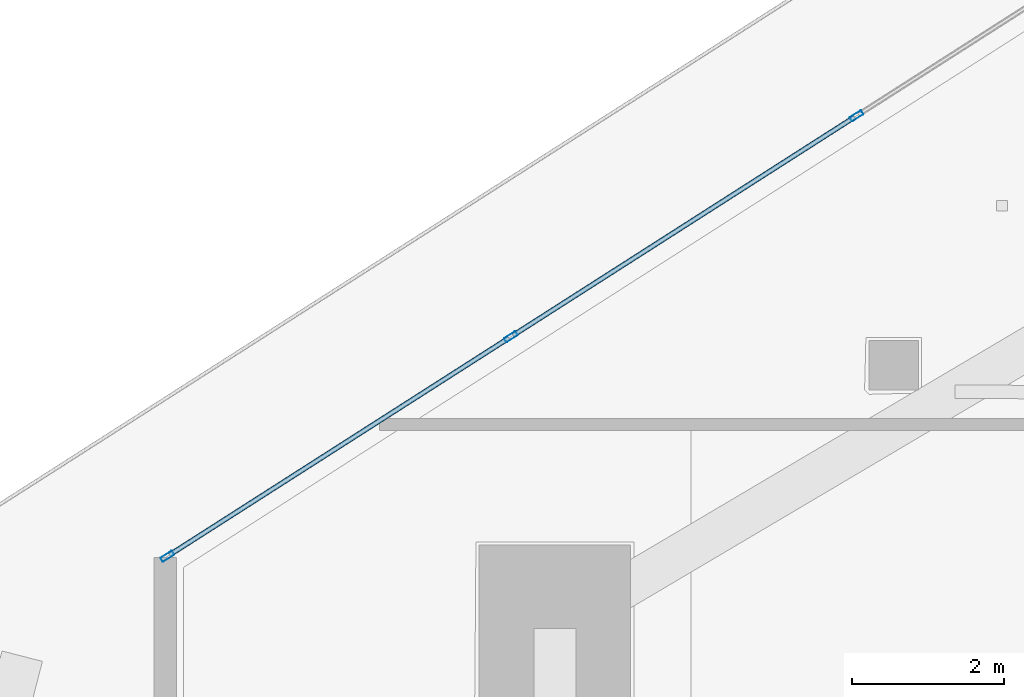
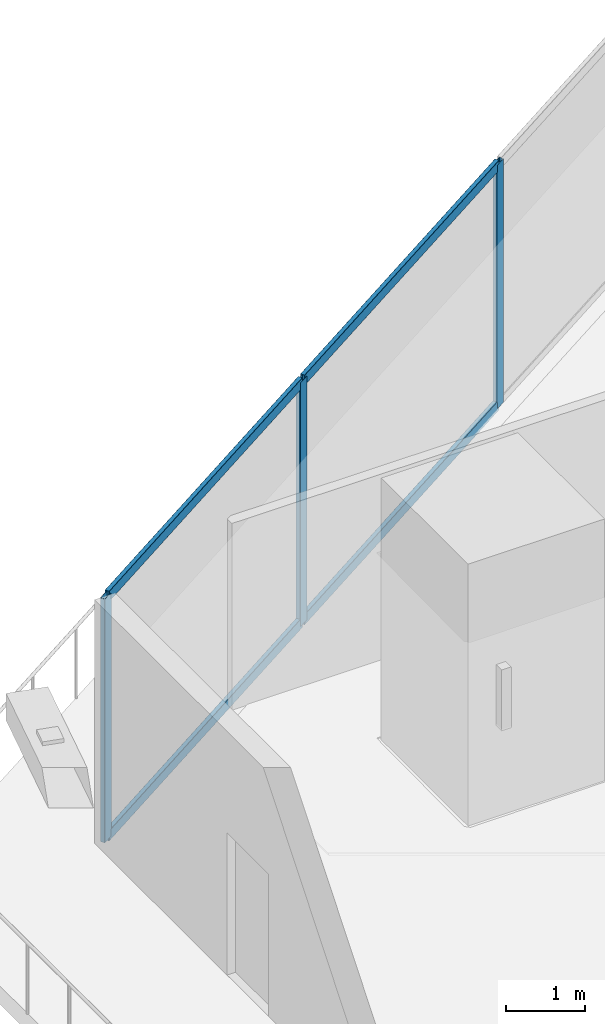
# One storey, part 14 of 45: 7 members, 1 element without a shape of its own.
"""IFC4 building model written with IfcOpenShell, lengths in metres."""

import ifcopenshell
import ifcopenshell.guid

model = None  # the IFC model being written
_history = None  # IfcOwnerHistory: only IFC2X3 demands one
_inside = {}  # id of a spatial element -> (the spatial element, [elements in it])
_under = {}  # id of a project, library or spatial element -> (it, [spatial elements below it])
_declared = {}  # id of a project -> (the project, [libraries it declares])
_typed = {}  # id of a type object -> (the type object, [elements of that type])
_made_of = {}  # id of a material, layer set ... -> (it, [elements and type objects made of it])


def new_model(schema):
    """Start an empty IFC model of exactly this schema.

    Asked for "IFC4X3", IfcOpenShell would pick the latest addendum, in which some entities
    have other attributes; the version numbers below select the first issue.
    IFC2X3 requires an IfcOwnerHistory on every rooted entity: one is made here for all.
    """
    global model, _history
    if schema == "IFC4X3":
        model = ifcopenshell.file(schema_version=(4, 3, 0, 0))
    else:
        model = ifcopenshell.file(schema=schema)
    _inside.clear()
    _under.clear()
    _declared.clear()
    _typed.clear()
    _made_of.clear()
    _history = None
    if model.schema == "IFC2X3":
        org = make("IfcOrganization", Name="unknown")
        user = make(
            "IfcPersonAndOrganization",
            ThePerson=make("IfcPerson", FamilyName="unknown"),
            TheOrganization=org,
        )
        app = make(
            "IfcApplication",
            ApplicationDeveloper=org,
            Version="unknown",
            ApplicationFullName="unknown",
            ApplicationIdentifier="unknown",
        )
        _history = make(
            "IfcOwnerHistory",
            OwningUser=user,
            OwningApplication=app,
            ChangeAction="ADDED",
            CreationDate=0,
        )
    return model


def make(cls, **values):
    """One entity of the class cls with the attributes given. An attribute that is None is left unset."""
    return model.create_entity(
        cls, **{name: value for name, value in values.items() if value is not None}
    )


def rooted(cls, **values):
    """An entity with a GlobalId (a new one), such as an element, a storey or a relation."""
    return make(cls, GlobalId=ifcopenshell.guid.new(), OwnerHistory=_history, **values)


def si_unit(unit_type, name, prefix=None):
    """IfcSIUnit, for example si_unit("LENGTHUNIT", "METRE", prefix="MILLI")."""
    return make("IfcSIUnit", UnitType=unit_type, Prefix=prefix, Name=name)


def assignment(units):
    """IfcUnitAssignment: the units of a project."""
    return None if units is None else make("IfcUnitAssignment", Units=units)


def point(xyz):
    """IfcCartesianPoint."""
    return None if xyz is None else make("IfcCartesianPoint", Coordinates=xyz)


def direction(xyz):
    """IfcDirection."""
    return None if xyz is None else make("IfcDirection", DirectionRatios=xyz)


def frame(location, z_axis=None, x_axis=None):
    """IfcAxis2Placement3D, a coordinate frame: its origin and axes. An axis left out is left unset."""
    return make(
        "IfcAxis2Placement3D",
        Location=point(location),
        Axis=direction(z_axis),
        RefDirection=direction(x_axis),
    )


def frame_2d(location, x_axis=None):
    """IfcAxis2Placement2D, a coordinate frame in the plane: its origin and x axis."""
    return make(
        "IfcAxis2Placement2D", Location=point(location), RefDirection=direction(x_axis)
    )


def origin():
    """The frame at (0, 0, 0) with its axes left unset."""
    return frame((0.0, 0.0, 0.0))


def origin_2d():
    """The frame at (0, 0) in the plane with its x axis left unset."""
    return frame_2d((0.0, 0.0))


def place(relative_to, where):
    """IfcLocalPlacement: puts the frame where relative to a parent placement (None: the world)."""
    return make(
        "IfcLocalPlacement", PlacementRelTo=relative_to, RelativePlacement=where
    )


def context(
    kind, dimensions, precision=None, world=None, true_north=None, identifier=None
):
    """IfcGeometricRepresentationContext, for example the 3D "Model" context."""
    return make(
        "IfcGeometricRepresentationContext",
        ContextIdentifier=identifier,
        ContextType=kind,
        CoordinateSpaceDimension=dimensions,
        Precision=precision,
        WorldCoordinateSystem=world,
        TrueNorth=true_north,
    )


def subcontext(parent, identifier, kind, view, scale=None):
    """IfcGeometricRepresentationSubContext, for example "Body" below "Model"."""
    return make(
        "IfcGeometricRepresentationSubContext",
        ContextIdentifier=identifier,
        ContextType=kind,
        ParentContext=parent,
        TargetScale=scale,
        TargetView=view,
    )


def project(units=None, contexts=None):
    """IfcProject with its units and contexts."""
    return rooted(
        "IfcProject",
        Name="project",
        RepresentationContexts=contexts,
        UnitsInContext=assignment(units),
    )


def spatial(cls, under=None, at=None, **own):
    """A site, building, storey or space (cls), placed at a placement, below another one or the project."""
    s = rooted(cls, ObjectPlacement=at, **own)
    if under is not None:
        _under.setdefault(under.id(), (under, []))[1].append(s)
    return s


def profile(cls, at=None, kind="AREA", **sizes):
    """A parametric profile (cls). Its sizes go by their IFC names, for example OverallWidth=200.0."""
    return make(cls, ProfileType=kind, Position=at, **sizes)


def hollow_rectangle(**sizes):
    """IfcRectangleHollowProfileDef."""
    return profile("IfcRectangleHollowProfileDef", **sizes)


def extrude(swept, where, along, depth):
    """IfcExtrudedAreaSolid: the profile swept, set in the frame where, extruded along a direction by depth."""
    return make(
        "IfcExtrudedAreaSolid",
        SweptArea=swept,
        Position=where,
        ExtrudedDirection=direction(along),
        Depth=depth,
    )


def shape(context_of_items, identifier, shape_type, items):
    """IfcShapeRepresentation: the items that make up one representation, for example the "Body"."""
    return make(
        "IfcShapeRepresentation",
        ContextOfItems=context_of_items,
        RepresentationIdentifier=identifier,
        RepresentationType=shape_type,
        Items=items,
    )


def material(Name=None, Category=None):
    """IfcMaterial."""
    return make("IfcMaterial", Name=Name, Category=Category)


def layer(
    of_material, thickness, ventilated=None, Name=None, Category=None, Priority=None
):
    """IfcMaterialLayer: one layer of a wall or slab, of a material (None: an air gap)."""
    return make(
        "IfcMaterialLayer",
        Material=of_material,
        LayerThickness=thickness,
        IsVentilated=ventilated,
        Name=Name,
        Category=Category,
        Priority=Priority,
    )


def layer_set(layers, Name=None):
    """IfcMaterialLayerSet."""
    return make("IfcMaterialLayerSet", MaterialLayers=layers, LayerSetName=Name)


def material_profile(
    of_material, cross_section, Name=None, Category=None, Priority=None
):
    """IfcMaterialProfile: a cross section and its material."""
    return make(
        "IfcMaterialProfile",
        Name=Name,
        Material=of_material,
        Profile=cross_section,
        Priority=Priority,
        Category=Category,
    )


def profile_set(profiles, Name=None, composite=None):
    """IfcMaterialProfileSet."""
    return make(
        "IfcMaterialProfileSet",
        Name=Name,
        MaterialProfiles=profiles,
        CompositeProfile=composite,
    )


def made_of(thing, what):
    """Note that an element or type object is made of a material, layer set ...; save() writes the relation."""
    if what is not None:
        _made_of.setdefault(what.id(), (what, []))[1].append(thing)
    return thing


def type_object(cls, material=None, **own):
    """A type object (cls), such as IfcWallType, which elements share."""
    return made_of(rooted(cls, **own), material)


def element(
    cls,
    number,
    at=None,
    inside=None,
    cuts=None,
    type_object=None,
    material=None,
    context=None,
    identifier="Body",
    shape_type=None,
    held_by="IfcProductDefinitionShape",
    body=None,
    shapes=None,
    **own,
):
    """One element of the class cls, such as IfcWall. Its Tag is "e" and its number.

    at: its placement. inside: the storey or other place that contains it. cuts: it is an
    opening in that element (IfcRelVoidsElement). A single representation is given by context,
    identifier, shape_type and body (its items); several are given by shapes. held_by: the class
    of the entity that holds the representations. save() writes the other relations.
    """
    e = rooted(cls, Tag="e%d" % number, ObjectPlacement=at, **own)
    if body is not None:
        shapes = [shape(context, identifier, shape_type, body)]
    if shapes is not None:
        e.Representation = make(held_by, Representations=shapes)
    if inside is not None:
        _inside.setdefault(inside.id(), (inside, []))[1].append(e)
    if cuts is not None:
        rooted(
            "IfcRelVoidsElement", RelatingBuildingElement=cuts, RelatedOpeningElement=e
        )
    if type_object is not None:
        _typed.setdefault(type_object.id(), (type_object, []))[1].append(e)
    return made_of(e, material)


def aggregate(whole, parts):
    """IfcRelAggregates: a whole, such as a stair, and the parts it consists of."""
    return rooted("IfcRelAggregates", RelatingObject=whole, RelatedObjects=parts)


def save(model, path):
    """Write the relations noted so far, then the file.

    IfcRelAggregates (storeys below a building ...), IfcRelContainedInSpatialStructure (elements
    in a storey), IfcRelDefinesByType, IfcRelAssociatesMaterial and IfcRelDeclares: one each for
    every whole, place, type object, material and project.
    """
    for whole, parts in _under.values():
        aggregate(whole, parts)
    for where, things in _inside.values():
        rooted(
            "IfcRelContainedInSpatialStructure",
            RelatedElements=things,
            RelatingStructure=where,
        )
    for kind, things in _typed.values():
        rooted("IfcRelDefinesByType", RelatedObjects=things, RelatingType=kind)
    for what, things in _made_of.values():
        rooted("IfcRelAssociatesMaterial", RelatedObjects=things, RelatingMaterial=what)
    for by, libraries in _declared.values():
        rooted("IfcRelDeclares", RelatingContext=by, RelatedDefinitions=libraries)
    model.write(path)


model = new_model("IFC4")

# Units and contexts
model_context = context("Model", 3, precision=1e-05, world=origin(), true_north=direction((0.0, 1.0)))
body_context = subcontext(model_context, "Body", "Model", "MODEL_VIEW")
ifc_project = project(units=[si_unit("LENGTHUNIT", "METRE"), si_unit("AREAUNIT", "SQUARE_METRE"), si_unit("VOLUMEUNIT", "CUBIC_METRE"), si_unit("PLANEANGLEUNIT", "RADIAN"), si_unit("MASSUNIT", "GRAM", prefix="KILO")], contexts=[model_context])

# Site, building, storey
site_placement = place(None, origin())
site = spatial("IfcSite", under=ifc_project, at=site_placement, CompositionType="ELEMENT")
building_placement = place(site_placement, origin())
building = spatial("IfcBuilding", under=site, at=building_placement, Name="Qorvath Tower", CompositionType="ELEMENT")
storey_placement = place(building_placement, frame((0.0, 0.0, 109.800048828125)))
storey = spatial("IfcBuildingStorey", under=building, at=storey_placement, Name="L24", CompositionType="ELEMENT", Elevation=109.800048828125)

# Curtain wall, members
ifc_material_1 = material(Name="Anodised aluminium and triple low-E glass", Category="aluminium")
ifc_layer = layer(ifc_material_1, 0.179931640625)
ifc_layer_set = layer_set([ifc_layer], Name="CW-SYS-2")
curtain_wall_type = type_object("IfcCurtainWallType", Name="CW-SYS-2", PredefinedType="NOTDEFINED", material=ifc_layer_set)
curtain_wall_placement = place(storey_placement, origin())
curtain_wall = element("IfcCurtainWall", 1, at=curtain_wall_placement, inside=storey, type_object=curtain_wall_type, Name="Curtain Wall CW-2 CW-T-L24-16.3", PredefinedType="NOTDEFINED")
ifc_material_2 = material(Name="Anodised aluminium 6063-T6", Category="aluminium")
ifc_material_profile_1 = material_profile(ifc_material_2, hollow_rectangle(XDim=0.06494140625, YDim=0.179931640625, WallThickness=0.00341796875, InnerFilletRadius=0.00341796875, OuterFilletRadius=0.007080078125, at=origin_2d()), Name="CWM 180x65")
ifc_profile_set_1 = profile_set([ifc_material_profile_1], Name="Anodised aluminium 6063-T6")
member_type_1 = type_object("IfcMemberType", Name="CWM-180", PredefinedType="MULLION", material=ifc_profile_set_1)
member_1_placement = place(storey_placement, frame((-49.069091796875, 9.714599609375, 0.0), z_axis=(0.0, 0.0, 1.0), x_axis=(0.538529946269, -0.84260637131, 0.0)))
member_1 = element("IfcMember", 2, at=member_1_placement, type_object=member_type_1, Name="CW-2 mullion 4", PredefinedType="MULLION", context=body_context, shape_type="SweptSolid", body=[
    extrude(hollow_rectangle(XDim=0.06494140625, YDim=0.179931640625, WallThickness=0.00341796875, InnerFilletRadius=0.00341796875, OuterFilletRadius=0.007080078125, at=origin_2d()), origin(), (0.0, 0.0, 1.0), 3.77001953125),
])
member_2_placement = place(storey_placement, frame((-53.629638671875, 6.7998046875, 0.0), z_axis=(0.0, 0.0, 1.0), x_axis=(0.538529946269, -0.84260637131, 0.0)))
member_2 = element("IfcMember", 3, at=member_2_placement, type_object=member_type_1, Name="CW-2 mullion 5", PredefinedType="MULLION", context=body_context, shape_type="SweptSolid", body=[
    extrude(hollow_rectangle(XDim=0.06494140625, YDim=0.179931640625, WallThickness=0.00341796875, InnerFilletRadius=0.00341796875, OuterFilletRadius=0.007080078125, at=origin_2d()), origin(), (0.0, 0.0, 1.0), 3.77001953125),
])
member_3_placement = place(storey_placement, frame((-58.1630859375, 3.902587890625, 0.0), z_axis=(0.0, 0.0, 1.0), x_axis=(0.538529946269, -0.84260637131, 0.0)))
member_3 = element("IfcMember", 4, at=member_3_placement, type_object=member_type_1, Name="CW-2 mullion 6", PredefinedType="MULLION", context=body_context, shape_type="SweptSolid", body=[
    extrude(hollow_rectangle(XDim=0.06494140625, YDim=0.179931640625, WallThickness=0.00341796875, InnerFilletRadius=0.00341796875, OuterFilletRadius=0.007080078125, at=origin_2d()), origin(), (0.0, 0.0, 1.0), 3.77001953125),
])
ifc_material_3 = material(Name="Anodised aluminium 6063-T6", Category="aluminium")
ifc_material_profile_2 = material_profile(ifc_material_3, hollow_rectangle(XDim=0.06494140625, YDim=0.159912109375, WallThickness=0.00341796875, InnerFilletRadius=0.00341796875, OuterFilletRadius=0.007080078125, at=origin_2d()), Name="CWT 160x65")
ifc_profile_set_2 = profile_set([ifc_material_profile_2], Name="Anodised aluminium 6063-T6")
member_type_2 = type_object("IfcMemberType", Name="CWT-160", PredefinedType="USERDEFINED", material=ifc_profile_set_2)
member_4_placement = place(storey_placement, frame((-49.096435546875, 9.697265625, 0.032470703125), z_axis=(-0.842599583756, -0.538540566211, 0.0), x_axis=(0.538540566211, -0.842599583756, 0.0)))
member_4 = element("IfcMember", 5, at=member_4_placement, type_object=member_type_2, Name="CW-2 transom 4.1", ObjectType="TRANSOM", PredefinedType="USERDEFINED", context=body_context, shape_type="SweptSolid", body=[
    extrude(hollow_rectangle(XDim=0.06494140625, YDim=0.159912109375, WallThickness=0.00341796875, InnerFilletRadius=0.00341796875, OuterFilletRadius=0.007080078125, at=origin_2d()), origin(), (0.0, 0.0, 1.0), 5.34765625),
])
member_5_placement = place(storey_placement, frame((-49.096435546875, 9.697265625, 3.737548828125), z_axis=(-0.842599583756, -0.538540566211, 0.0), x_axis=(0.538540566211, -0.842599583756, 0.0)))
member_5 = element("IfcMember", 6, at=member_5_placement, type_object=member_type_2, Name="CW-2 transom 4.2", ObjectType="TRANSOM", PredefinedType="USERDEFINED", context=body_context, shape_type="SweptSolid", body=[
    extrude(hollow_rectangle(XDim=0.06494140625, YDim=0.159912109375, WallThickness=0.00341796875, InnerFilletRadius=0.00341796875, OuterFilletRadius=0.007080078125, at=origin_2d()), origin(), (0.0, 0.0, 1.0), 5.34765625),
])
member_6_placement = place(storey_placement, frame((-53.6572265625, 6.7822265625, 0.032470703125), z_axis=(-0.842608257158, -0.53852699558, 0.0), x_axis=(0.53852699558, -0.842608257158, 0.0)))
member_6 = element("IfcMember", 7, at=member_6_placement, type_object=member_type_2, Name="CW-2 transom 5.1", ObjectType="TRANSOM", PredefinedType="USERDEFINED", context=body_context, shape_type="SweptSolid", body=[
    extrude(hollow_rectangle(XDim=0.06494140625, YDim=0.159912109375, WallThickness=0.00341796875, InnerFilletRadius=0.00341796875, OuterFilletRadius=0.007080078125, at=origin_2d()), origin(), (0.0, 0.0, 1.0), 5.31494140625),
])
member_7_placement = place(storey_placement, frame((-53.6572265625, 6.7822265625, 3.737548828125), z_axis=(-0.842608257158, -0.53852699558, 0.0), x_axis=(0.53852699558, -0.842608257158, 0.0)))
member_7 = element("IfcMember", 8, at=member_7_placement, type_object=member_type_2, Name="CW-2 transom 5.2", ObjectType="TRANSOM", PredefinedType="USERDEFINED", context=body_context, shape_type="SweptSolid", body=[
    extrude(hollow_rectangle(XDim=0.06494140625, YDim=0.159912109375, WallThickness=0.00341796875, InnerFilletRadius=0.00341796875, OuterFilletRadius=0.007080078125, at=origin_2d()), origin(), (0.0, 0.0, 1.0), 5.31494140625),
])
aggregate(curtain_wall, [member_1, member_2, member_3, member_4, member_5, member_6, member_7])

save(model, "model.ifc")
